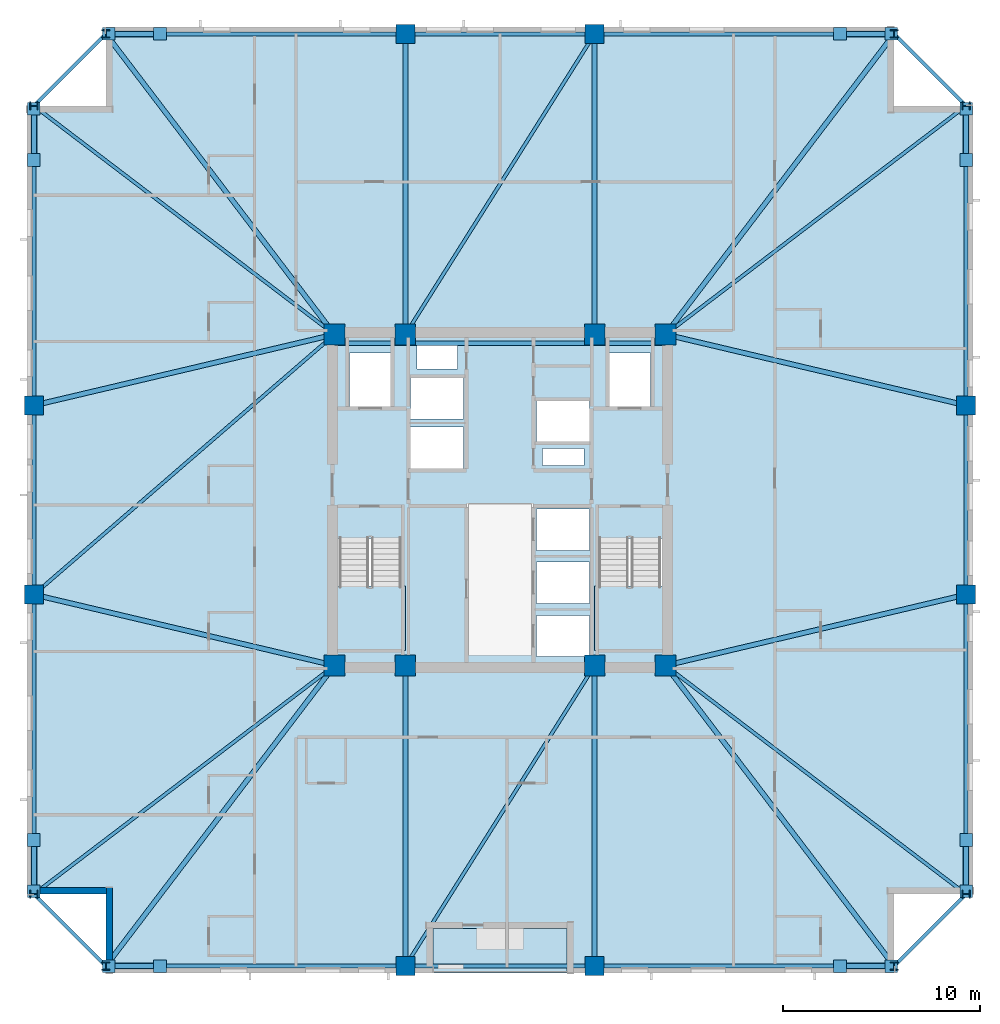
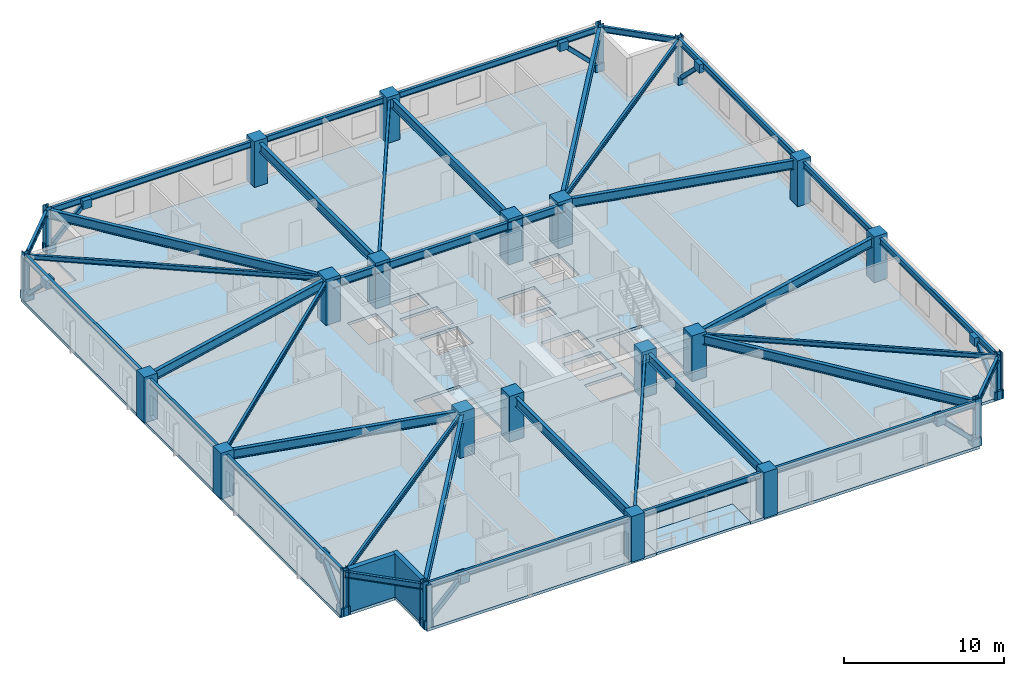
# One storey, part 1 of 11: 38 beams, 24 columns, 16 plates, 8 members, 4 slabs, 2 walls, 2 elements without a shape of their own.
"""IFC4 building model written with IfcOpenShell, lengths in metres."""

from ifc_helpers import new_model, si_unit, direction, frame, frame_2d, origin, origin_2d, place, context, subcontext, project, spatial, polyline, rectangle, hollow_rectangle, i_section, outline, extrude, material, layer, layer_set, material_profile, profile_set, type_object, element, aggregate, save


model = new_model("IFC4")

# Units and contexts
model_context = context("Model", 3, precision=1e-05, world=origin(), true_north=direction((0.0, 1.0)))
body_context = subcontext(model_context, "Body", "Model", "MODEL_VIEW")
ifc_project = project(units=[si_unit("LENGTHUNIT", "METRE"), si_unit("AREAUNIT", "SQUARE_METRE"), si_unit("VOLUMEUNIT", "CUBIC_METRE"), si_unit("PLANEANGLEUNIT", "RADIAN"), si_unit("MASSUNIT", "GRAM", prefix="KILO")], contexts=[model_context])

# Site, building, storey
site_placement = place(None, origin())
site = spatial("IfcSite", under=ifc_project, at=site_placement, CompositionType="ELEMENT")
building_placement = place(site_placement, origin())
building = spatial("IfcBuilding", under=site, at=building_placement, Name="Cairnveth Concourse Tower", CompositionType="ELEMENT")
storey_placement = place(building_placement, frame((0.0, 0.0, 155.0)))
storey = spatial("IfcBuildingStorey", under=building, at=storey_placement, Name="L42", CompositionType="ELEMENT", Elevation=155.0)

# Columns
ifc_material_1 = material(Name="Concrete N65 (65 MPa)", Category="concrete")
ifc_material_profile_1 = material_profile(ifc_material_1, rectangle(XDim=1.050048828125, YDim=1.050048828125, at=origin_2d()), Name="RC-COL-1050x1050")
ifc_profile_set_1 = profile_set([ifc_material_profile_1], Name="Concrete N65 (65 MPa)")
column_type_1 = type_object("IfcColumnType", Name="CORE COLUMN 1050X1050", PredefinedType="COLUMN", material=ifc_profile_set_1)
for number, where, z_axis, x_axis, name in (
    (1, (43.60009765625, 30.60009765625, 0.0), (0.0, 0.0, 1.0), (1.0, 0.0, 0.0), "Column CC1 L42"),
    (2, (47.199951171875, 30.60009765625, 0.0), (0.0, 0.0, 1.0), (1.0, 0.0, 0.0), "Column CC2 L42"),
    (3, (56.800048828125, 30.60009765625, 0.0), (0.0, 0.0, 1.0), (1.0, 0.0, 0.0), "Column CC3 L42"),
    (4, (60.39990234375, 30.60009765625, 0.0), (0.0, 0.0, 1.0), (1.0, 0.0, 0.0), "Column CC4 L42"),
    (5, (43.60009765625, 47.39990234375, 0.0), (0.0, 0.0, 1.0), (1.0, 0.0, 0.0), "Column CC5 L42"),
    (6, (47.199951171875, 47.39990234375, 0.0), (0.0, 0.0, 1.0), (1.0, 0.0, 0.0), "Column CC6 L42"),
    (7, (56.800048828125, 47.39990234375, 0.0), (0.0, 0.0, 1.0), (1.0, 0.0, 0.0), "Column CC7 L42"),
    (8, (60.39990234375, 47.39990234375, 0.0), (0.0, 0.0, 1.0), (1.0, 0.0, 0.0), "Column CC8 L42"),
):
    element("IfcColumn", number, at=place(storey_placement, frame(where, z_axis=z_axis, x_axis=x_axis)), inside=storey, type_object=column_type_1, Name=name, PredefinedType="COLUMN", context=body_context, shape_type="SweptSolid", body=[
        extrude(rectangle(XDim=1.050048828125, YDim=1.050048828125, at=origin_2d()), origin(), (0.0, 0.0, 1.0), 3.5),
    ])
ifc_material_profile_2 = material_profile(ifc_material_1, rectangle(XDim=0.949951171875, YDim=0.949951171875, at=origin_2d()), Name="RC-COL-950x950")
ifc_profile_set_2 = profile_set([ifc_material_profile_2], Name="Concrete N65 (65 MPa)")
column_type_2 = type_object("IfcColumnType", Name="PERIMETER PIER COLUMN 950X950", PredefinedType="COLUMN", material=ifc_profile_set_2)
for number, where, z_axis, x_axis, name in (
    (9, (47.199951171875, 15.35009765625, 0.0), (0.0, 0.0, 1.0), (1.0, 0.0, 0.0), "Column P-S2 L42"),
    (10, (56.800048828125, 15.35009765625, 0.0), (0.0, 0.0, 1.0), (1.0, 0.0, 0.0), "Column P-S3 L42"),
    (11, (75.64990234375, 34.199951171875, 0.0), (0.0, 0.0, 1.0), (0.0, 1.0, 0.0), "Column P-E2 L42"),
    (12, (75.64990234375, 43.800048828125, 0.0), (0.0, 0.0, 1.0), (0.0, 1.0, 0.0), "Column P-E3 L42"),
    (13, (56.800048828125, 62.64990234375, 0.0), (0.0, 0.0, 1.0), (1.0, 0.0, 0.0), "Column P-N2 L42"),
    (14, (47.199951171875, 62.64990234375, 0.0), (0.0, 0.0, 1.0), (1.0, 0.0, 0.0), "Column P-N3 L42"),
    (15, (28.35009765625, 43.800048828125, 0.0), (0.0, 0.0, 1.0), (0.0, 1.0, 0.0), "Column P-W2 L42"),
    (16, (28.35009765625, 34.199951171875, 0.0), (0.0, 0.0, 1.0), (0.0, 1.0, 0.0), "Column P-W3 L42"),
):
    element("IfcColumn", number, at=place(storey_placement, frame(where, z_axis=z_axis, x_axis=x_axis)), inside=storey, type_object=column_type_2, Name=name, PredefinedType="COLUMN", context=body_context, shape_type="SweptSolid", body=[
        extrude(rectangle(XDim=0.949951171875, YDim=0.949951171875, at=origin_2d()), origin(), (0.0, 0.0, 1.0), 3.5),
    ])
ifc_material_2 = material(Name="Steel Grade 350", Category="steel")
ifc_material_profile_3 = material_profile(ifc_material_2, i_section(OverallWidth=0.39990234375, OverallDepth=0.39990234375, WebThickness=0.02197265625, FlangeThickness=0.035888671875, at=origin_2d()), Name="400WC270")
ifc_profile_set_3 = profile_set([ifc_material_profile_3], Name="Steel Grade 350")
column_type_3 = type_object("IfcColumnType", Name="WELDED STEEL COLUMN 400WC270", PredefinedType="COLUMN", material=ifc_profile_set_3)
for number, where, z_axis, x_axis, name in (
    (17, (32.0, 15.35009765625, 0.0), (0.0, 0.0, 1.0), (1.0, 0.0, 0.0), "Column P-S1 L42"),
    (18, (72.0, 15.35009765625, 0.0), (0.0, 0.0, 1.0), (1.0, 0.0, 0.0), "Column P-S4 L42"),
    (19, (75.64990234375, 19.0, 0.0), (0.0, 0.0, 1.0), (0.0, 1.0, 0.0), "Column P-E1 L42"),
    (20, (75.64990234375, 59.0, 0.0), (0.0, 0.0, 1.0), (0.0, 1.0, 0.0), "Column P-E4 L42"),
    (21, (72.0, 62.64990234375, 0.0), (0.0, 0.0, 1.0), (1.0, 0.0, 0.0), "Column P-N1 L42"),
    (22, (32.0, 62.64990234375, 0.0), (0.0, 0.0, 1.0), (1.0, 0.0, 0.0), "Column P-N4 L42"),
    (23, (28.35009765625, 59.0, 0.0), (0.0, 0.0, 1.0), (0.0, 1.0, 0.0), "Column P-W1 L42"),
    (24, (28.35009765625, 19.0, 0.0), (0.0, 0.0, 1.0), (0.0, 1.0, 0.0), "Column P-W4 L42"),
):
    element("IfcColumn", number, at=place(storey_placement, frame(where, z_axis=z_axis, x_axis=x_axis)), inside=storey, type_object=column_type_3, Name=name, PredefinedType="COLUMN", context=body_context, shape_type="SweptSolid", body=[
        extrude(i_section(OverallWidth=0.39990234375, OverallDepth=0.39990234375, WebThickness=0.02197265625, FlangeThickness=0.035888671875, at=origin_2d()), origin(), (0.0, 0.0, 1.0), 3.5),
    ])

# Beams
ifc_material_profile_4 = material_profile(ifc_material_2, i_section(OverallWidth=0.22802734375, OverallDepth=0.60693359375, WebThickness=0.01123046875, FlangeThickness=0.017333984375, FilletRadius=0.013916015625, at=origin_2d()), Name="610UB113")
ifc_profile_set_4 = profile_set([ifc_material_profile_4], Name="Steel Grade 350")
beam_type_1 = type_object("IfcBeamType", Name="CORE TIE BEAM 610UB113", PredefinedType="T_BEAM", material=ifc_profile_set_4)
for number, where, z_axis, x_axis, name in (
    (25, (43.60009765625, 46.949951171875, 2.9765625), (1.0, 0.0, 0.0), (0.0, 1.0, 0.0), "Beam CT-N1 L42"),
    (26, (56.800048828125, 46.949951171875, 2.9765625), (1.0, 0.0, 0.0), (0.0, 1.0, 0.0), "Beam CT-N3 L42"),
):
    element("IfcBeam", number, at=place(storey_placement, frame(where, z_axis=z_axis, x_axis=x_axis)), inside=storey, type_object=beam_type_1, Name=name, PredefinedType="T_BEAM", context=body_context, shape_type="SweptSolid", body=[
        extrude(i_section(OverallWidth=0.22802734375, OverallDepth=0.60693359375, WebThickness=0.01123046875, FlangeThickness=0.017333984375, FilletRadius=0.013916015625, at=origin_2d()), origin(), (0.0, 0.0, 1.0), 3.599853515625),
    ])
beam_1_placement = place(storey_placement, frame((47.199951171875, 46.949951171875, 2.9765625), z_axis=(1.0, 0.0, 0.0), x_axis=(0.0, 1.0, 0.0)))
element("IfcBeam", 27, at=beam_1_placement, inside=storey, type_object=beam_type_1, Name="Beam CT-N2 L42", PredefinedType="T_BEAM", context=body_context, shape_type="SweptSolid", body=[
    extrude(i_section(OverallWidth=0.22802734375, OverallDepth=0.60693359375, WebThickness=0.01123046875, FlangeThickness=0.017333984375, FilletRadius=0.013916015625, at=origin_2d()), origin(), (0.0, 0.0, 1.0), 9.60009765625),
])
ifc_material_profile_5 = material_profile(ifc_material_2, i_section(OverallWidth=0.172119140625, OverallDepth=0.35888671875, WebThickness=0.008056640625, FlangeThickness=0.012939453125, FilletRadius=0.010986328125, at=origin_2d()), Name="360UB56.7")
ifc_profile_set_5 = profile_set([ifc_material_profile_5], Name="Steel Grade 350")
beam_type_2 = type_object("IfcBeamType", Name="ZONE 2 FLOOR JOIST 360UB56.7", PredefinedType="JOIST", material=ifc_profile_set_5)
for number, where, z_axis, x_axis, name in (
    (28, (28.35009765625, 19.0, 3.1005859375), (0.795908242904, 0.6054172684, 0.0), (-0.6054172684, 0.795908242904, 0.0), "Beam FJ-CSW2 L42"),
    (29, (75.64990234375, 19.0, 3.1005859375), (-0.795908242904, 0.6054172684, 0.0), (-0.6054172684, -0.795908242904, 0.0), "Beam FJ-CSE2 L42"),
    (30, (75.64990234375, 59.0, 3.1005859375), (-0.795908242904, -0.6054172684, 0.0), (0.6054172684, -0.795908242904, 0.0), "Beam FJ-CNE2 L42"),
    (31, (28.35009765625, 59.0, 3.1005859375), (0.795908242904, -0.6054172684, 0.0), (0.6054172684, 0.795908242904, 0.0), "Beam FJ-CNW2 L42"),
):
    element("IfcBeam", number, at=place(storey_placement, frame(where, z_axis=z_axis, x_axis=x_axis)), inside=storey, type_object=beam_type_2, Name=name, PredefinedType="JOIST", context=body_context, shape_type="SweptSolid", body=[
        extrude(i_section(OverallWidth=0.172119140625, OverallDepth=0.35888671875, WebThickness=0.008056640625, FlangeThickness=0.012939453125, FilletRadius=0.010986328125, at=origin_2d()), origin(), (0.0, 0.0, 1.0), 19.160400390625),
    ])
for number, where, z_axis, x_axis, name in (
    (32, (47.199951171875, 15.35009765625, 3.1005859375), (0.532743557037, 0.84627672923, 0.0), (-0.84627672923, 0.532743557037, 0.0), "Beam FJ-S-M1 L42"),
    (33, (47.199951171875, 47.39990234375, 3.1005859375), (0.532743557037, 0.84627672923, 0.0), (-0.84627672923, 0.532743557037, 0.0), "Beam FJ-N-M1 L42"),
):
    element("IfcBeam", number, at=place(storey_placement, frame(where, z_axis=z_axis, x_axis=x_axis)), inside=storey, type_object=beam_type_2, Name=name, PredefinedType="JOIST", context=body_context, shape_type="SweptSolid", body=[
        extrude(i_section(OverallWidth=0.172119140625, OverallDepth=0.35888671875, WebThickness=0.008056640625, FlangeThickness=0.012939453125, FilletRadius=0.010986328125, at=origin_2d()), origin(), (0.0, 0.0, 1.0), 18.02001953125),
    ])
beam_2_placement = place(storey_placement, frame((28.35009765625, 34.199951171875, 3.1005859375), z_axis=(0.756099107057, 0.654457134049, 0.0), x_axis=(-0.654457134049, 0.756099107057, 0.0)))
element("IfcBeam", 34, at=beam_2_placement, inside=storey, type_object=beam_type_2, Name="Beam FJ-W-M1 L42", PredefinedType="JOIST", context=body_context, shape_type="SweptSolid", body=[
    extrude(i_section(OverallWidth=0.172119140625, OverallDepth=0.35888671875, WebThickness=0.008056640625, FlangeThickness=0.012939453125, FilletRadius=0.010986328125, at=origin_2d()), origin(), (0.0, 0.0, 1.0), 20.16943359375),
])

# Members
ifc_material_3 = material(Name="Steel C350L0 (350 MPa)", Category="steel")
ifc_material_profile_6 = material_profile(ifc_material_3, hollow_rectangle(XDim=0.300048828125, YDim=0.300048828125, WallThickness=0.01611328125, InnerFilletRadius=0.01611328125, OuterFilletRadius=0.031982421875, at=origin_2d()), Name="300x300x16.0SHS")
ifc_profile_set_6 = profile_set([ifc_material_profile_6], Name="Steel C350L0 (350 MPa)")
member_type = type_object("IfcMemberType", Name="ZONE 2 PIER BRACE 300X300X16SHS", PredefinedType="BRACE", material=ifc_profile_set_6)
for number, where, z_axis, x_axis, name in (
    (35, (32.14990234375, 15.35009765625, 0.25), (0.709834195787, 0.0, 0.704368805735), (0.0, 1.0, 0.0), "Structural Brace PB-S1 L42"),
    (36, (71.85009765625, 15.35009765625, 0.25), (-0.709834195787, 0.0, 0.704368805735), (0.0, -1.0, 0.0), "Structural Brace PB-S2 L42"),
    (37, (32.14990234375, 62.64990234375, 0.25), (0.709834195787, 0.0, 0.704368805735), (0.0, 1.0, 0.0), "Structural Brace PB-N1 L42"),
    (38, (71.85009765625, 62.64990234375, 0.25), (-0.709834195787, 0.0, 0.704368805735), (0.0, -1.0, 0.0), "Structural Brace PB-N2 L42"),
    (39, (28.35009765625, 19.14990234375, 0.25), (0.0, 0.709834195787, 0.704368805735), (-1.0, 0.0, 0.0), "Structural Brace PB-W1 L42"),
    (40, (28.35009765625, 58.85009765625, 0.25), (0.0, -0.709834195787, 0.704368805735), (1.0, 0.0, 0.0), "Structural Brace PB-W2 L42"),
    (41, (75.64990234375, 19.14990234375, 0.25), (0.0, 0.709834195787, 0.704368805735), (-1.0, 0.0, 0.0), "Structural Brace PB-E1 L42"),
    (42, (75.64990234375, 58.85009765625, 0.25), (0.0, -0.709834195787, 0.704368805735), (1.0, 0.0, 0.0), "Structural Brace PB-E2 L42"),
):
    element("IfcMember", number, at=place(storey_placement, frame(where, z_axis=z_axis, x_axis=x_axis)), inside=storey, type_object=member_type, Name=name, PredefinedType="BRACE", context=body_context, shape_type="SweptSolid", body=[
        extrude(hollow_rectangle(XDim=0.300048828125, YDim=0.300048828125, WallThickness=0.01611328125, InnerFilletRadius=0.01611328125, OuterFilletRadius=0.031982421875, at=origin_2d()), origin(), (0.0, 0.0, 1.0), 3.6630859375),
    ])

# Beams
ifc_material_profile_7 = material_profile(ifc_material_2, i_section(OverallWidth=0.25, OverallDepth=0.699951171875, WebThickness=0.011962890625, FlangeThickness=0.028076171875, at=origin_2d()), Name="700WB173")
ifc_profile_set_7 = profile_set([ifc_material_profile_7], Name="Steel Grade 350")
beam_type_3 = type_object("IfcBeamType", Name="ZONE 2 RADIAL GIRDER 700WB173", PredefinedType="BEAM", material=ifc_profile_set_7)
for number, where, z_axis, x_axis, name in (
    (43, (47.199951171875, 15.35009765625, 2.929931640625), (0.0, 1.0, 0.0), (-1.0, 0.0, 0.0), "Beam RG-S1 L42"),
    (44, (56.800048828125, 15.35009765625, 2.929931640625), (0.0, 1.0, 0.0), (-1.0, 0.0, 0.0), "Beam RG-S2 L42"),
    (45, (47.199951171875, 47.39990234375, 2.929931640625), (0.0, 1.0, 0.0), (-1.0, 0.0, 0.0), "Beam RG-N1 L42"),
    (46, (56.800048828125, 47.39990234375, 2.929931640625), (0.0, 1.0, 0.0), (-1.0, 0.0, 0.0), "Beam RG-N2 L42"),
):
    element("IfcBeam", number, at=place(storey_placement, frame(where, z_axis=z_axis, x_axis=x_axis)), inside=storey, type_object=beam_type_3, Name=name, PredefinedType="BEAM", context=body_context, shape_type="SweptSolid", body=[
        extrude(i_section(OverallWidth=0.25, OverallDepth=0.699951171875, WebThickness=0.011962890625, FlangeThickness=0.028076171875, at=origin_2d()), origin(), (0.0, 0.0, 1.0), 15.25),
    ])
for number, where, z_axis, x_axis, name in (
    (47, (28.35009765625, 34.199951171875, 2.929931640625), (0.973251602929, -0.229741849468, 0.0), (0.229741849468, 0.973251602929, 0.0), "Beam RG-W1 L42"),
    (48, (28.35009765625, 43.800048828125, 2.929931640625), (0.973251602929, 0.229741849468, 0.0), (-0.229741849468, 0.973251602929, 0.0), "Beam RG-W2 L42"),
    (49, (60.39990234375, 30.60009765625, 2.929931640625), (0.973251602929, 0.229741849468, 0.0), (-0.229741849468, 0.973251602929, 0.0), "Beam RG-E1 L42"),
    (50, (60.39990234375, 47.39990234375, 2.929931640625), (0.973251602929, -0.229741849468, 0.0), (0.229741849468, 0.973251602929, 0.0), "Beam RG-E2 L42"),
):
    element("IfcBeam", number, at=place(storey_placement, frame(where, z_axis=z_axis, x_axis=x_axis)), inside=storey, type_object=beam_type_3, Name=name, PredefinedType="BEAM", context=body_context, shape_type="SweptSolid", body=[
        extrude(i_section(OverallWidth=0.25, OverallDepth=0.699951171875, WebThickness=0.011962890625, FlangeThickness=0.028076171875, at=origin_2d()), origin(), (0.0, 0.0, 1.0), 15.669189453125),
    ])
for number, where, z_axis, x_axis, name in (
    (51, (32.0, 15.35009765625, 2.929931640625), (0.6054172684, 0.795908242904, 0.0), (-0.795908242904, 0.6054172684, 0.0), "Beam RG-CSW L42"),
    (52, (72.0, 15.35009765625, 2.929931640625), (-0.6054172684, 0.795908242904, 0.0), (-0.795908242904, -0.6054172684, 0.0), "Beam RG-CSE L42"),
    (53, (72.0, 62.64990234375, 2.929931640625), (-0.6054172684, -0.795908242904, 0.0), (0.795908242904, -0.6054172684, 0.0), "Beam RG-CNE L42"),
    (54, (32.0, 62.64990234375, 2.929931640625), (0.6054172684, -0.795908242904, 0.0), (0.795908242904, 0.6054172684, 0.0), "Beam RG-CNW L42"),
):
    element("IfcBeam", number, at=place(storey_placement, frame(where, z_axis=z_axis, x_axis=x_axis)), inside=storey, type_object=beam_type_3, Name=name, PredefinedType="BEAM", context=body_context, shape_type="SweptSolid", body=[
        extrude(i_section(OverallWidth=0.25, OverallDepth=0.699951171875, WebThickness=0.011962890625, FlangeThickness=0.028076171875, at=origin_2d()), origin(), (0.0, 0.0, 1.0), 19.160400390625),
    ])
ifc_material_profile_8 = material_profile(ifc_material_2, i_section(OverallWidth=0.18994140625, OverallDepth=0.45703125, WebThickness=0.009033203125, FlangeThickness=0.014404296875, FilletRadius=0.010986328125, at=origin_2d()), Name="460UB74.6")
ifc_profile_set_8 = profile_set([ifc_material_profile_8], Name="Steel Grade 350")
beam_type_4 = type_object("IfcBeamType", Name="ZONE 2 SPANDREL BEAM 460UB74.6", PredefinedType="SPANDREL", material=ifc_profile_set_8)
beam_3_placement = place(storey_placement, frame((32.0, 15.35009765625, 3.051513671875), z_axis=(1.0, 0.0, 0.0), x_axis=(0.0, 1.0, 0.0)))
element("IfcBeam", 55, at=beam_3_placement, inside=storey, type_object=beam_type_4, Name="Beam SP-S1 L42", PredefinedType="SPANDREL", context=body_context, shape_type="SweptSolid", body=[
    extrude(i_section(OverallWidth=0.18994140625, OverallDepth=0.45703125, WebThickness=0.009033203125, FlangeThickness=0.014404296875, FilletRadius=0.010986328125, at=origin_2d()), origin(), (0.0, 0.0, 1.0), 15.199951171875),
])
beam_4_placement = place(storey_placement, frame((47.199951171875, 15.35009765625, 3.051513671875), z_axis=(1.0, 0.0, 0.0), x_axis=(0.0, 1.0, 0.0)))
element("IfcBeam", 56, at=beam_4_placement, inside=storey, type_object=beam_type_4, Name="Beam SP-S2 L42", PredefinedType="SPANDREL", context=body_context, shape_type="SweptSolid", body=[
    extrude(i_section(OverallWidth=0.18994140625, OverallDepth=0.45703125, WebThickness=0.009033203125, FlangeThickness=0.014404296875, FilletRadius=0.010986328125, at=origin_2d()), origin(), (0.0, 0.0, 1.0), 9.60009765625),
])
for number, where, z_axis, x_axis, name in (
    (57, (56.800048828125, 15.35009765625, 3.051513671875), (1.0, 0.0, 0.0), (0.0, 1.0, 0.0), "Beam SP-S3 L42"),
    (58, (32.0, 62.64990234375, 3.051513671875), (1.0, 0.0, 0.0), (0.0, 1.0, 0.0), "Beam SP-N1 L42"),
):
    element("IfcBeam", number, at=place(storey_placement, frame(where, z_axis=z_axis, x_axis=x_axis)), inside=storey, type_object=beam_type_4, Name=name, PredefinedType="SPANDREL", context=body_context, shape_type="SweptSolid", body=[
        extrude(i_section(OverallWidth=0.18994140625, OverallDepth=0.45703125, WebThickness=0.009033203125, FlangeThickness=0.014404296875, FilletRadius=0.010986328125, at=origin_2d()), origin(), (0.0, 0.0, 1.0), 15.199951171875),
    ])
beam_5_placement = place(storey_placement, frame((47.199951171875, 62.64990234375, 3.051513671875), z_axis=(1.0, 0.0, 0.0), x_axis=(0.0, 1.0, 0.0)))
element("IfcBeam", 59, at=beam_5_placement, inside=storey, type_object=beam_type_4, Name="Beam SP-N2 L42", PredefinedType="SPANDREL", context=body_context, shape_type="SweptSolid", body=[
    extrude(i_section(OverallWidth=0.18994140625, OverallDepth=0.45703125, WebThickness=0.009033203125, FlangeThickness=0.014404296875, FilletRadius=0.010986328125, at=origin_2d()), origin(), (0.0, 0.0, 1.0), 9.60009765625),
])
for number, where, z_axis, x_axis, name in (
    (60, (56.800048828125, 62.64990234375, 3.051513671875), (1.0, 0.0, 0.0), (0.0, 1.0, 0.0), "Beam SP-N3 L42"),
    (61, (28.35009765625, 19.0, 3.051513671875), (0.0, 1.0, 0.0), (-1.0, 0.0, 0.0), "Beam SP-W1 L42"),
):
    element("IfcBeam", number, at=place(storey_placement, frame(where, z_axis=z_axis, x_axis=x_axis)), inside=storey, type_object=beam_type_4, Name=name, PredefinedType="SPANDREL", context=body_context, shape_type="SweptSolid", body=[
        extrude(i_section(OverallWidth=0.18994140625, OverallDepth=0.45703125, WebThickness=0.009033203125, FlangeThickness=0.014404296875, FilletRadius=0.010986328125, at=origin_2d()), origin(), (0.0, 0.0, 1.0), 15.199951171875),
    ])
beam_6_placement = place(storey_placement, frame((28.35009765625, 34.199951171875, 3.051513671875), z_axis=(0.0, 1.0, 0.0), x_axis=(-1.0, 0.0, 0.0)))
element("IfcBeam", 62, at=beam_6_placement, inside=storey, type_object=beam_type_4, Name="Beam SP-W2 L42", PredefinedType="SPANDREL", context=body_context, shape_type="SweptSolid", body=[
    extrude(i_section(OverallWidth=0.18994140625, OverallDepth=0.45703125, WebThickness=0.009033203125, FlangeThickness=0.014404296875, FilletRadius=0.010986328125, at=origin_2d()), origin(), (0.0, 0.0, 1.0), 9.60009765625),
])
for number, where, z_axis, x_axis, name in (
    (63, (28.35009765625, 43.800048828125, 3.051513671875), (0.0, 1.0, 0.0), (-1.0, 0.0, 0.0), "Beam SP-W3 L42"),
    (64, (75.64990234375, 19.0, 3.051513671875), (0.0, 1.0, 0.0), (-1.0, 0.0, 0.0), "Beam SP-E1 L42"),
):
    element("IfcBeam", number, at=place(storey_placement, frame(where, z_axis=z_axis, x_axis=x_axis)), inside=storey, type_object=beam_type_4, Name=name, PredefinedType="SPANDREL", context=body_context, shape_type="SweptSolid", body=[
        extrude(i_section(OverallWidth=0.18994140625, OverallDepth=0.45703125, WebThickness=0.009033203125, FlangeThickness=0.014404296875, FilletRadius=0.010986328125, at=origin_2d()), origin(), (0.0, 0.0, 1.0), 15.199951171875),
    ])
beam_7_placement = place(storey_placement, frame((75.64990234375, 34.199951171875, 3.051513671875), z_axis=(0.0, 1.0, 0.0), x_axis=(-1.0, 0.0, 0.0)))
element("IfcBeam", 65, at=beam_7_placement, inside=storey, type_object=beam_type_4, Name="Beam SP-E2 L42", PredefinedType="SPANDREL", context=body_context, shape_type="SweptSolid", body=[
    extrude(i_section(OverallWidth=0.18994140625, OverallDepth=0.45703125, WebThickness=0.009033203125, FlangeThickness=0.014404296875, FilletRadius=0.010986328125, at=origin_2d()), origin(), (0.0, 0.0, 1.0), 9.60009765625),
])
beam_8_placement = place(storey_placement, frame((75.64990234375, 43.800048828125, 3.051513671875), z_axis=(0.0, 1.0, 0.0), x_axis=(-1.0, 0.0, 0.0)))
element("IfcBeam", 66, at=beam_8_placement, inside=storey, type_object=beam_type_4, Name="Beam SP-E3 L42", PredefinedType="SPANDREL", context=body_context, shape_type="SweptSolid", body=[
    extrude(i_section(OverallWidth=0.18994140625, OverallDepth=0.45703125, WebThickness=0.009033203125, FlangeThickness=0.014404296875, FilletRadius=0.010986328125, at=origin_2d()), origin(), (0.0, 0.0, 1.0), 15.199951171875),
])
for number, where, z_axis, x_axis, name in (
    (67, (28.35009765625, 19.0, 3.051513671875), (0.707106781187, -0.707106781187, 0.0), (0.707106781187, 0.707106781187, 0.0), "Beam SP-SW L42"),
    (68, (72.0, 15.35009765625, 3.051513671875), (0.707106781187, 0.707106781187, 0.0), (-0.707106781187, 0.707106781187, 0.0), "Beam SP-SE L42"),
    (69, (72.0, 62.64990234375, 3.051513671875), (0.707106781187, -0.707106781187, 0.0), (0.707106781187, 0.707106781187, 0.0), "Beam SP-NE L42"),
    (70, (28.35009765625, 59.0, 3.051513671875), (0.707106781187, 0.707106781187, 0.0), (-0.707106781187, 0.707106781187, 0.0), "Beam SP-NW L42"),
):
    element("IfcBeam", number, at=place(storey_placement, frame(where, z_axis=z_axis, x_axis=x_axis)), inside=storey, type_object=beam_type_4, Name=name, PredefinedType="SPANDREL", context=body_context, shape_type="SweptSolid", body=[
        extrude(i_section(OverallWidth=0.18994140625, OverallDepth=0.45703125, WebThickness=0.009033203125, FlangeThickness=0.014404296875, FilletRadius=0.010986328125, at=origin_2d()), origin(), (0.0, 0.0, 1.0), 5.16162109375),
    ])

# Slab
ifc_material_4 = material(Name="Concrete N50 (50 MPa)", Category="concrete")
ifc_layer_1 = layer(ifc_material_4, 0.219970703125)
ifc_layer_set_1 = layer_set([ifc_layer_1], Name="Concrete N50 (50 MPa)")
slab_type_1 = type_object("IfcSlabType", Name="LOWER TOWER COMPOSITE SLAB 220", PredefinedType="FLOOR", material=ifc_layer_set_1)
slab_1_placement = place(storey_placement, frame((0.0, 0.0, -0.219970703125)))
element("IfcSlab", 71, at=slab_1_placement, inside=storey, type_object=slab_type_1, Name="Tower Floor Slab L42", PredefinedType="FLOOR", context=body_context, shape_type="SweptSolid", body=[
    extrude(outline(polyline([(48.60009765625, 15.0), (48.60009765625, 17.25), (55.39990234375, 17.25), (55.39990234375, 15.0), (72.0, 15.0), (72.0, 19.0), (76.0, 19.0), (76.0, 59.0), (72.0, 59.0), (72.0, 63.0), (32.0, 63.0), (32.0, 59.0), (28.0, 59.0), (28.0, 19.0), (32.0, 19.0), (32.0, 15.0), (48.60009765625, 15.0)]), holes=[polyline([(43.760009765625, 31.360107421875), (47.06005859375, 31.360107421875), (47.06005859375, 37.0400390625), (43.760009765625, 37.0400390625), (43.760009765625, 31.360107421875)]), polyline([(56.93994140625, 31.360107421875), (60.239990234375, 31.360107421875), (60.239990234375, 37.0400390625), (56.93994140625, 37.0400390625), (56.93994140625, 31.360107421875)]), polyline([(44.3701171875, 43.75), (46.469970703125, 43.75), (46.469970703125, 46.449951171875), (44.3701171875, 46.449951171875), (44.3701171875, 43.75)]), polyline([(57.530029296875, 43.75), (59.6298828125, 43.75), (59.6298828125, 46.449951171875), (57.530029296875, 46.449951171875), (57.530029296875, 43.75)]), polyline([(53.85009765625, 31.050048828125), (56.550048828125, 31.050048828125), (56.550048828125, 33.14990234375), (53.85009765625, 33.14990234375), (53.85009765625, 31.050048828125)]), polyline([(53.85009765625, 33.75), (56.550048828125, 33.75), (56.550048828125, 35.85009765625), (53.85009765625, 35.85009765625), (53.85009765625, 33.75)]), polyline([(53.85009765625, 36.449951171875), (56.550048828125, 36.449951171875), (56.550048828125, 38.550048828125), (53.85009765625, 38.550048828125), (53.85009765625, 36.449951171875)]), polyline([(47.449951171875, 40.60009765625), (50.14990234375, 40.60009765625), (50.14990234375, 42.699951171875), (47.449951171875, 42.699951171875), (47.449951171875, 40.60009765625)]), polyline([(47.449951171875, 43.10009765625), (50.14990234375, 43.10009765625), (50.14990234375, 45.199951171875), (47.449951171875, 45.199951171875), (47.449951171875, 43.10009765625)]), polyline([(53.85009765625, 41.949951171875), (56.550048828125, 41.949951171875), (56.550048828125, 44.050048828125), (53.85009765625, 44.050048828125), (53.85009765625, 41.949951171875)]), polyline([(47.800048828125, 45.64990234375), (49.85009765625, 45.64990234375), (49.85009765625, 47.050048828125), (47.800048828125, 47.050048828125), (47.800048828125, 45.64990234375)]), polyline([(54.14990234375, 40.75), (56.25, 40.75), (56.25, 41.6201171875), (54.14990234375, 41.6201171875), (54.14990234375, 40.75)])]), origin(), (0.0, 0.0, 1.0), 0.219970703125),
])

# Plates
ifc_layer_2 = layer(ifc_material_2, 0.031982421875)
ifc_layer_set_2 = layer_set([ifc_layer_2], Name="Steel Grade 350")
plate_type = type_object("IfcPlateType", Name="PERIMETER BRACE GUSSET PLATE 32", PredefinedType="USERDEFINED", material=ifc_layer_set_2)
for number, where, z_axis, x_axis, name in (
    (72, (32.14990234375, 15.35009765625, -0.06982421875), (0.0, 0.0, 1.0), (1.0, 0.0, 0.0), "Structural Node Plate 0705 L42"),
    (73, (34.75, 15.35009765625, 2.51025390625), (0.0, 0.0, 1.0), (1.0, 0.0, 0.0), "Structural Node Plate 0706 L42"),
    (74, (71.85009765625, 15.35009765625, -0.06982421875), (0.0, 0.0, 1.0), (1.0, 0.0, 0.0), "Structural Node Plate 0707 L42"),
    (75, (69.25, 15.35009765625, 2.51025390625), (0.0, 0.0, 1.0), (1.0, 0.0, 0.0), "Structural Node Plate 0708 L42"),
    (76, (32.14990234375, 62.64990234375, -0.06982421875), (0.0, 0.0, 1.0), (1.0, 0.0, 0.0), "Structural Node Plate 0709 L42"),
    (77, (34.75, 62.64990234375, 2.51025390625), (0.0, 0.0, 1.0), (1.0, 0.0, 0.0), "Structural Node Plate 0710 L42"),
    (78, (71.85009765625, 62.64990234375, -0.06982421875), (0.0, 0.0, 1.0), (1.0, 0.0, 0.0), "Structural Node Plate 0711 L42"),
    (79, (69.25, 62.64990234375, 2.51025390625), (0.0, 0.0, 1.0), (1.0, 0.0, 0.0), "Structural Node Plate 0712 L42"),
    (80, (28.35009765625, 19.14990234375, -0.06982421875), (0.0, 0.0, 1.0), (1.0, 0.0, 0.0), "Structural Node Plate 0713 L42"),
    (81, (28.35009765625, 21.75, 2.51025390625), (0.0, 0.0, 1.0), (1.0, 0.0, 0.0), "Structural Node Plate 0714 L42"),
    (82, (28.35009765625, 58.85009765625, -0.06982421875), (0.0, 0.0, 1.0), (1.0, 0.0, 0.0), "Structural Node Plate 0715 L42"),
    (83, (28.35009765625, 56.25, 2.51025390625), (0.0, 0.0, 1.0), (1.0, 0.0, 0.0), "Structural Node Plate 0716 L42"),
    (84, (75.64990234375, 19.14990234375, -0.06982421875), (0.0, 0.0, 1.0), (1.0, 0.0, 0.0), "Structural Node Plate 0717 L42"),
    (85, (75.64990234375, 21.75, 2.51025390625), (0.0, 0.0, 1.0), (1.0, 0.0, 0.0), "Structural Node Plate 0718 L42"),
    (86, (75.64990234375, 58.85009765625, -0.06982421875), (0.0, 0.0, 1.0), (1.0, 0.0, 0.0), "Structural Node Plate 0719 L42"),
    (87, (75.64990234375, 56.25, 2.51025390625), (0.0, 0.0, 1.0), (1.0, 0.0, 0.0), "Structural Node Plate 0720 L42"),
):
    element("IfcPlate", number, at=place(storey_placement, frame(where, z_axis=z_axis, x_axis=x_axis)), inside=storey, type_object=plate_type, Name=name, ObjectType="GUSSET PLATE", PredefinedType="USERDEFINED", context=body_context, shape_type="SweptSolid", body=[
        extrude(rectangle(XDim=0.639892578125, YDim=0.639892578125, at=origin_2d()), origin(), (0.0, 0.0, 1.0), 0.639892578125),
    ])

# Slab
ifc_layer_3 = layer(ifc_material_4, 0.18994140625)
ifc_layer_set_3 = layer_set([ifc_layer_3], Name="Concrete N50 (50 MPa)")
slab_type_2 = type_object("IfcSlabType", Name="SPIRAL OUTDOOR TERRACE SLAB 190", PredefinedType="FLOOR", material=ifc_layer_set_3)
slab_2_placement = place(storey_placement, frame((0.0, 0.0, -0.18994140625)))
element("IfcSlab", 88, at=slab_2_placement, inside=storey, type_object=slab_type_2, Name="Spiral Terrace Slab L42", PredefinedType="FLOOR", context=body_context, shape_type="SweptSolid", body=[
    extrude(outline(polyline([(48.60009765625, 15.0), (55.39990234375, 15.0), (55.39990234375, 17.25), (48.60009765625, 17.25), (48.60009765625, 15.0)])), origin(), (0.0, 0.0, 1.0), 0.18994140625),
])

# Stair, slab
ifc_material_5 = material(Name="Precast concrete N50 (50 MPa)", Category="concrete")
stair_type = type_object("IfcStairType", Name="CORE DOG-LEG FIRE STAIR 1500", PredefinedType="HALF_TURN_STAIR", material=ifc_material_5)
stair_1_placement = place(storey_placement, origin())
stair_1 = element("IfcStair", 89, at=stair_1_placement, inside=storey, type_object=stair_type, Name="L42 Fire-Isolated Stair ST-1", PredefinedType="HALF_TURN_STAIR")
ifc_layer_4 = layer(ifc_material_4, 0.199951171875)
ifc_layer_set_4 = layer_set([ifc_layer_4], Name="Concrete N50 (50 MPa)")
slab_type_3 = type_object("IfcSlabType", Name="STAIR HALF LANDING SLAB 200", PredefinedType="LANDING", material=ifc_layer_set_4)
slab_3_placement = place(storey_placement, frame((0.0, 0.0, 1.550048828125)))
slab_3 = element("IfcSlab", 90, at=slab_3_placement, type_object=slab_type_3, Name="ST-1 landing 1", PredefinedType="LANDING", context=body_context, shape_type="SweptSolid", body=[
    extrude(outline(polyline([(43.6201171875, 34.639892578125), (43.6201171875, 31.3701171875), (47.199951171875, 31.3701171875), (47.199951171875, 34.639892578125), (43.6201171875, 34.639892578125)])), origin(), (0.0, 0.0, 1.0), 0.199951171875),
])
aggregate(stair_1, [slab_3])

stair_2_placement = place(storey_placement, origin())
stair_2 = element("IfcStair", 91, at=stair_2_placement, inside=storey, type_object=stair_type, Name="L42 Fire-Isolated Stair ST-2", PredefinedType="HALF_TURN_STAIR")
slab_4_placement = place(storey_placement, frame((0.0, 0.0, 1.550048828125)))
slab_4 = element("IfcSlab", 92, at=slab_4_placement, type_object=slab_type_3, Name="ST-2 landing 1", PredefinedType="LANDING", context=body_context, shape_type="SweptSolid", body=[
    extrude(outline(polyline([(56.800048828125, 34.639892578125), (56.800048828125, 31.3701171875), (60.3798828125, 31.3701171875), (60.3798828125, 34.639892578125), (56.800048828125, 34.639892578125)])), origin(), (0.0, 0.0, 1.0), 0.199951171875),
])
aggregate(stair_2, [slab_4])

# Walls
ifc_material_6 = material(Name="Hawthorn Red-Ochre Fired Clay Brick Masonry", Category="masonry")
ifc_layer_5 = layer(ifc_material_6, 0.340087890625)
ifc_layer_set_5 = layer_set([ifc_layer_5], Name="Hawthorn Red-Ochre Fired Clay Brick Masonry")
wall_type = type_object("IfcWallType", Name="ZONE 2 BRICK PIER SPANDREL WALL 340", PredefinedType="SOLIDWALL", material=ifc_layer_set_5)
wall_1_placement = place(storey_placement, frame((32.169921875, 15.0, 0.0), z_axis=(0.0, 0.0, 1.0), x_axis=(0.0, 1.0, 0.0)))
element("IfcWall", 93, at=wall_1_placement, inside=storey, type_object=wall_type, Name="Exterior Wall EW-L42-S01", PredefinedType="SOLIDWALL", context=body_context, shape_type="SweptSolid", body=[
    extrude(rectangle(XDim=4.340087890625, YDim=0.340087890625, at=frame_2d((2.169921875, 0.0))), origin(), (0.0, 0.0, 1.0), 3.280029296875),
])
wall_2_placement = place(storey_placement, frame((32.02197265625, 19.169921875, 0.0), z_axis=(0.0, 0.0, 1.0), x_axis=(-1.0, 0.0, 0.0)))
element("IfcWall", 94, at=wall_2_placement, inside=storey, type_object=wall_type, Name="Exterior Wall EW-L42-S02", PredefinedType="SOLIDWALL", context=body_context, shape_type="SweptSolid", body=[
    extrude(rectangle(XDim=3.703857421875, YDim=0.340087890625, at=frame_2d((1.85205078125, 0.0))), origin(), (0.0, 0.0, 1.0), 3.280029296875),
])

save(model, "model.ifc")
